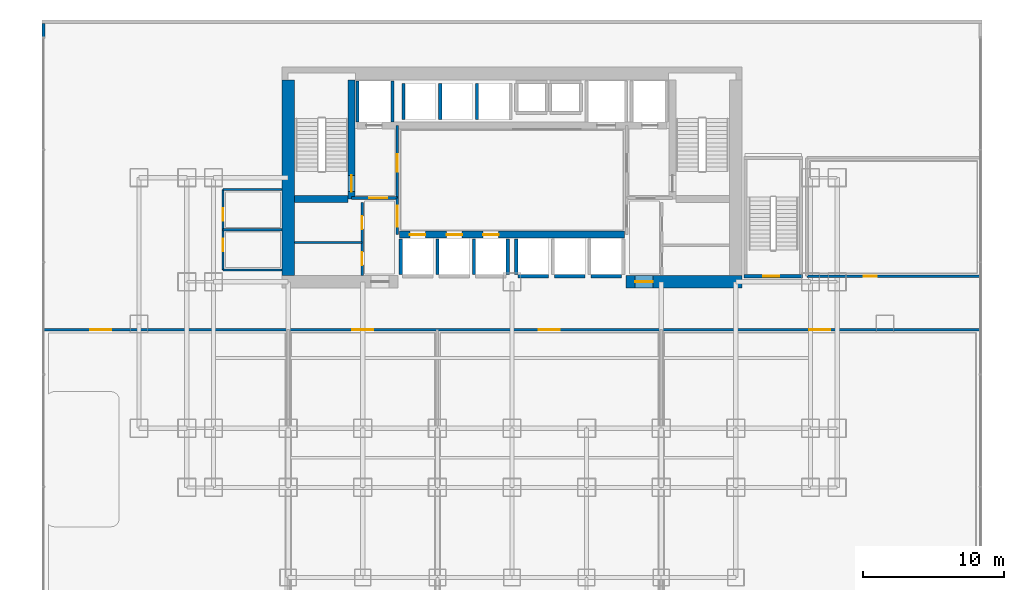
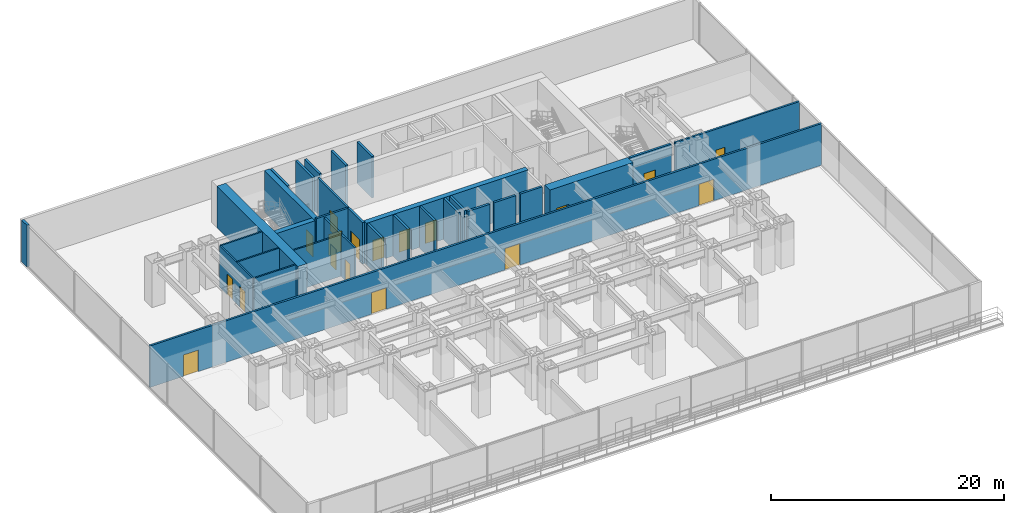
# One storey, part 9 of 13: 31 walls, 18 doors, 18 openings.
"""IFC4 building model written with IfcOpenShell, lengths in metres."""

from ifc_helpers import new_model, si_unit, direction, frame, frame_2d, origin, place, context, subcontext, project, spatial, rectangle, extrude, material, layer, layer_set, type_object, element, fill, save


model = new_model("IFC4")

# Units and contexts
model_context = context("Model", 3, precision=1e-05, world=origin(), true_north=direction((0.0, 1.0)))
body_context = subcontext(model_context, "Body", "Model", "MODEL_VIEW")
ifc_project = project(units=[si_unit("LENGTHUNIT", "METRE"), si_unit("AREAUNIT", "SQUARE_METRE"), si_unit("VOLUMEUNIT", "CUBIC_METRE"), si_unit("PLANEANGLEUNIT", "RADIAN"), si_unit("MASSUNIT", "GRAM", prefix="KILO")], contexts=[model_context])

# Site, building, storey
site_placement = place(None, origin())
site = spatial("IfcSite", under=ifc_project, at=site_placement, CompositionType="ELEMENT")
building_placement = place(site_placement, origin())
building = spatial("IfcBuilding", under=site, at=building_placement, Name="Qianlan Lanfeng Residences", CompositionType="ELEMENT")
storey_placement = place(building_placement, frame((0.0, 0.0, 9.800048828125)))
storey = spatial("IfcBuildingStorey", under=building, at=storey_placement, Name="L02", CompositionType="ELEMENT", Elevation=9.800048828125)

# Wall, opening, door
ifc_material_1 = material(Name="Concrete C70", Category="concrete")
ifc_layer_1 = layer(ifc_material_1, 0.5)
ifc_layer_set_1 = layer_set([ifc_layer_1], Name="Concrete C70")
wall_type_1 = type_object("IfcWallType", Name="CW-RC-500", PredefinedType="SHEAR", material=ifc_layer_set_1)
wall_1_placement = place(storey_placement, frame((15.10009765625, 31.10009765625, 0.0), z_axis=(0.0, 0.0, 1.0), x_axis=(0.0, 1.0, 0.0)))
wall_1 = element("IfcWall", 1, at=wall_1_placement, inside=storey, type_object=wall_type_1, Name="L02 Core Shear Wall ST1E", PredefinedType="SHEAR", context=body_context, shape_type="SweptSolid", body=[
    extrude(rectangle(XDim=8.449951171875, YDim=0.5, at=frame_2d((4.22509765625, 0.0))), origin(), (0.0, 0.0, 1.0), 4.349853515625),
])
opening_1_placement = place(wall_1_placement, frame((0.510009765625, 0.0, 0.0)))
opening_1 = element("IfcOpeningElement", 2, at=opening_1_placement, cuts=wall_1, Name="Opening L02-D07", PredefinedType="OPENING", context=body_context, shape_type="SweptSolid", body=[
    extrude(rectangle(XDim=1.14990234375, YDim=2.199951171875, at=frame_2d((0.574951171875, 1.10009765625))), frame((0.0, 0.260009765625, 0.0), z_axis=(0.0, -1.0, 0.0), x_axis=(1.0, 0.0, 0.0)), (0.0, 0.0, 1.0), 0.52001953125),
])
ifc_material_2 = material(Name="Painted Galvanised Steel Fire Door", Category="steel")
door_type_1 = type_object("IfcDoorType", Name="DT-ST1", OperationType="NOTDEFINED", PredefinedType="DOOR", material=ifc_material_2)
door_1_placement = place(opening_1_placement, frame((1.14990234375, 0.0, 0.0), z_axis=(0.0, 0.0, 1.0), x_axis=(-1.0, 0.0, 0.0)))
door_1 = element("IfcDoor", 3, at=door_1_placement, inside=storey, type_object=door_type_1, Name="L02 Exit Stair ST-1 Door L02-D07 (DT-ST1)", OperationType="SINGLE_SWING_RIGHT", OverallHeight=2.199951171875, OverallWidth=1.14990234375, PredefinedType="DOOR", context=body_context, shape_type="SweptSolid", body=[
    extrude(rectangle(XDim=1.14990234375, YDim=2.199951171875, at=frame_2d((0.574951171875, 1.10009765625))), frame((0.0, 0.02490234375, 0.0), z_axis=(0.0, -1.0, 0.0), x_axis=(1.0, 0.0, 0.0)), (0.0, 0.0, 1.0), 0.050048828125),
])
fill(opening_1, door_1)

# Wall
wall_2_placement = place(storey_placement, frame((11.050048828125, 31.10009765625, 0.0), z_axis=(0.0, 0.0, 1.0), x_axis=(1.0, 0.0, 0.0)))
element("IfcWall", 4, at=wall_2_placement, inside=storey, type_object=wall_type_1, Name="L02 Core Shear Wall ST1S", PredefinedType="SHEAR", context=body_context, shape_type="SweptSolid", body=[
    extrude(rectangle(XDim=3.800048828125, YDim=0.5, at=frame_2d((1.89990234375, 0.0))), origin(), (0.0, 0.0, 1.0), 4.349853515625),
])

# Wall, openings, doors
wall_3_placement = place(storey_placement, frame((18.5, 28.550048828125, 0.0), z_axis=(0.0, 0.0, 1.0), x_axis=(1.0, 0.0, 0.0)))
wall_3 = element("IfcWall", 5, at=wall_3_placement, inside=storey, type_object=wall_type_1, Name="L02 Core Shear Wall LBS", PredefinedType="SHEAR", context=body_context, shape_type="SweptSolid", body=[
    extrude(rectangle(XDim=16.0, YDim=0.5, at=frame_2d((8.0, 0.0))), origin(), (0.0, 0.0, 1.0), 4.349853515625),
])
opening_2_placement = place(wall_3_placement, frame((0.75, 0.0, 0.0)))
opening_2 = element("IfcOpeningElement", 6, at=opening_2_placement, cuts=wall_3, Name="Opening L02-LD-PL-L1", PredefinedType="OPENING", context=body_context, shape_type="SweptSolid", body=[
    extrude(rectangle(XDim=1.10009765625, YDim=2.14990234375, at=frame_2d((0.550048828125, 1.074951171875))), frame((0.0, 0.260009765625, 0.0), z_axis=(0.0, -1.0, 0.0), x_axis=(1.0, 0.0, 0.0)), (0.0, 0.0, 1.0), 0.52001953125),
])
opening_3_placement = place(wall_3_placement, frame((3.35009765625, 0.0, 0.0)))
opening_3 = element("IfcOpeningElement", 7, at=opening_3_placement, cuts=wall_3, Name="Opening L02-LD-PL-L2", PredefinedType="OPENING", context=body_context, shape_type="SweptSolid", body=[
    extrude(rectangle(XDim=1.10009765625, YDim=2.14990234375, at=frame_2d((0.550048828125, 1.074951171875))), frame((0.0, 0.260009765625, 0.0), z_axis=(0.0, -1.0, 0.0), x_axis=(1.0, 0.0, 0.0)), (0.0, 0.0, 1.0), 0.52001953125),
])
opening_4_placement = place(wall_3_placement, frame((5.949951171875, 0.0, 0.0)))
opening_4 = element("IfcOpeningElement", 8, at=opening_4_placement, cuts=wall_3, Name="Opening L02-LD-PL-L3", PredefinedType="OPENING", context=body_context, shape_type="SweptSolid", body=[
    extrude(rectangle(XDim=1.10009765625, YDim=2.14990234375, at=frame_2d((0.550048828125, 1.074951171875))), frame((0.0, 0.260009765625, 0.0), z_axis=(0.0, -1.0, 0.0), x_axis=(1.0, 0.0, 0.0)), (0.0, 0.0, 1.0), 0.52001953125),
])
ifc_material_3 = material(Name="Brushed Stainless Steel Sliding Lift Door", Category="steel")
door_type_2 = type_object("IfcDoorType", Name="LD-01", OperationType="NOTDEFINED", PredefinedType="DOOR", material=ifc_material_3)
door_2_placement = place(opening_2_placement, origin())
door_2 = element("IfcDoor", 9, at=door_2_placement, inside=storey, type_object=door_type_2, Name="L02 Elevator PL-L1 Sliding Landing Door", OperationType="DOUBLE_DOOR_SLIDING", OverallHeight=2.14990234375, OverallWidth=1.10009765625, PredefinedType="DOOR", context=body_context, shape_type="SweptSolid", body=[
    extrude(rectangle(XDim=1.10009765625, YDim=2.14990234375, at=frame_2d((0.550048828125, 1.074951171875))), frame((0.0, 0.02490234375, 0.0), z_axis=(0.0, -1.0, 0.0), x_axis=(1.0, 0.0, 0.0)), (0.0, 0.0, 1.0), 0.050048828125),
])
fill(opening_2, door_2)
door_3_placement = place(opening_3_placement, origin())
door_3 = element("IfcDoor", 10, at=door_3_placement, inside=storey, type_object=door_type_2, Name="L02 Elevator PL-L2 Sliding Landing Door", OperationType="DOUBLE_DOOR_SLIDING", OverallHeight=2.14990234375, OverallWidth=1.10009765625, PredefinedType="DOOR", context=body_context, shape_type="SweptSolid", body=[
    extrude(rectangle(XDim=1.10009765625, YDim=2.14990234375, at=frame_2d((0.550048828125, 1.074951171875))), frame((0.0, 0.02490234375, 0.0), z_axis=(0.0, -1.0, 0.0), x_axis=(1.0, 0.0, 0.0)), (0.0, 0.0, 1.0), 0.050048828125),
])
fill(opening_3, door_3)
door_4_placement = place(opening_4_placement, origin())
door_4 = element("IfcDoor", 11, at=door_4_placement, inside=storey, type_object=door_type_2, Name="L02 Elevator PL-L3 Sliding Landing Door", OperationType="DOUBLE_DOOR_SLIDING", OverallHeight=2.14990234375, OverallWidth=1.10009765625, PredefinedType="DOOR", context=body_context, shape_type="SweptSolid", body=[
    extrude(rectangle(XDim=1.10009765625, YDim=2.14990234375, at=frame_2d((0.550048828125, 1.074951171875))), frame((0.0, 0.02490234375, 0.0), z_axis=(0.0, -1.0, 0.0), x_axis=(1.0, 0.0, 0.0)), (0.0, 0.0, 1.0), 0.050048828125),
])
fill(opening_4, door_4)

# Wall
ifc_layer_2 = layer(ifc_material_1, 0.89990234375)
ifc_layer_set_2 = layer_set([ifc_layer_2], Name="Concrete C70")
wall_type_2 = type_object("IfcWallType", Name="CW-RC-900", PredefinedType="SHEAR", material=ifc_layer_set_2)
wall_4_placement = place(storey_placement, frame((10.60009765625, 25.64990234375, 0.0), z_axis=(0.0, 0.0, 1.0), x_axis=(0.0, 1.0, 0.0)))
element("IfcWall", 12, at=wall_4_placement, inside=storey, type_object=wall_type_2, Name="L02 Core Shear Wall W", PredefinedType="SHEAR", context=body_context, shape_type="SweptSolid", body=[
    extrude(rectangle(XDim=13.900146484375, YDim=0.89990234375, at=frame_2d((6.9501953125, 0.0))), origin(), (0.0, 0.0, 1.0), 4.349853515625),
])

# Wall, opening, door
wall_5_placement = place(storey_placement, frame((34.60009765625, 25.199951171875, 0.0), z_axis=(0.0, 0.0, 1.0), x_axis=(1.0, 0.0, 0.0)))
wall_5 = element("IfcWall", 13, at=wall_5_placement, inside=storey, type_object=wall_type_2, Name="L02 Core Shear Wall SE", PredefinedType="SHEAR", context=body_context, shape_type="SweptSolid", body=[
    extrude(rectangle(XDim=8.25, YDim=0.89990234375, at=frame_2d((4.125, 0.0))), origin(), (0.0, 0.0, 1.0), 4.349853515625),
])
opening_5_placement = place(wall_5_placement, frame((0.64990234375, 0.0, 0.0)))
opening_5 = element("IfcOpeningElement", 14, at=opening_5_placement, cuts=wall_5, Name="Opening L02-D02", PredefinedType="OPENING", context=body_context, shape_type="SweptSolid", body=[
    extrude(rectangle(XDim=1.25, YDim=2.199951171875, at=frame_2d((0.625, 1.10009765625))), frame((0.0, 0.4599609375, 0.0), z_axis=(0.0, -1.0, 0.0), x_axis=(1.0, 0.0, 0.0)), (0.0, 0.0, 1.0), 0.919921875),
])
door_type_3 = type_object("IfcDoorType", Name="DT-FFL", OperationType="NOTDEFINED", PredefinedType="DOOR", material=ifc_material_2)
door_5_placement = place(opening_5_placement, frame((1.25, 0.0, 0.0), z_axis=(0.0, 0.0, 1.0), x_axis=(-1.0, 0.0, 0.0)))
door_5 = element("IfcDoor", 15, at=door_5_placement, inside=storey, type_object=door_type_3, Name="L02 East Core Lobby Smoke Door L02-D02 (DT-FFL)", OperationType="SINGLE_SWING_LEFT", OverallHeight=2.199951171875, OverallWidth=1.25, PredefinedType="DOOR", context=body_context, shape_type="SweptSolid", body=[
    extrude(rectangle(XDim=1.25, YDim=2.199951171875, at=frame_2d((0.625, 1.10009765625))), frame((0.0, 0.02490234375, 0.0), z_axis=(0.0, -1.0, 0.0), x_axis=(1.0, 0.0, 0.0)), (0.0, 0.0, 1.0), 0.050048828125),
])
fill(opening_5, door_5)

# Walls
ifc_material_4 = material(Name="Concrete C42", Category="concrete")
ifc_layer_3 = layer(ifc_material_4, 0.239990234375)
ifc_layer_set_3 = layer_set([ifc_layer_3], Name="Concrete C42")
wall_type_3 = type_object("IfcWallType", Name="EW-240", PredefinedType="SOLIDWALL", material=ifc_layer_set_3)
wall_6_placement = place(storey_placement, frame((-6.780029296875, 43.5400390625, 0.0), z_axis=(0.0, 0.0, 1.0), x_axis=(0.0, -1.0, 0.0)))
element("IfcWall", 16, at=wall_6_placement, inside=storey, type_object=wall_type_3, Name="L02 NW Corner Pier", PredefinedType="SOLIDWALL", context=body_context, shape_type="SweptSolid", body=[
    extrude(rectangle(XDim=0.93994140625, YDim=0.239990234375, at=frame_2d((0.469970703125, 0.0))), origin(), (0.0, 0.0, 1.0), 4.349853515625),
])
ifc_material_5 = material(Name="Acoustic Drywall Partition 150 mm")
ifc_layer_4 = layer(ifc_material_5, 0.14990234375)
ifc_layer_set_4 = layer_set([ifc_layer_4], Name="Acoustic Drywall Partition 150 mm")
wall_type_4 = type_object("IfcWallType", Name="PW-150", PredefinedType="PARTITIONING", material=ifc_layer_set_4)
wall_7_placement = place(storey_placement, frame((11.050048828125, 28.0, 0.0), z_axis=(0.0, 0.0, 1.0), x_axis=(1.0, 0.0, 0.0)))
element("IfcWall", 17, at=wall_7_placement, inside=storey, type_object=wall_type_4, Name="L02 Core West Split", PredefinedType="PARTITIONING", context=body_context, shape_type="SweptSolid", body=[
    extrude(rectangle(XDim=4.800048828125, YDim=0.14990234375, at=frame_2d((2.39990234375, 0.0))), origin(), (0.0, 0.0, 1.0), 4.349853515625),
])

# Wall, openings, doors
wall_8_placement = place(storey_placement, frame((5.97998046875, 26.050048828125, 0.0), z_axis=(0.0, 0.0, 1.0), x_axis=(0.0, 1.0, 0.0)))
wall_8 = element("IfcWall", 18, at=wall_8_placement, inside=storey, type_object=wall_type_4, Name="L02 Restroom West Wall", PredefinedType="PARTITIONING", context=body_context, shape_type="SweptSolid", body=[
    extrude(rectangle(XDim=5.699951171875, YDim=0.14990234375, at=frame_2d((2.85009765625, 0.0))), origin(), (0.0, 0.0, 1.0), 4.349853515625),
])
opening_6_placement = place(wall_8_placement, frame((1.324951171875, 0.0, 0.0)))
opening_6 = element("IfcOpeningElement", 19, at=opening_6_placement, cuts=wall_8, Name="Opening L02-D21", PredefinedType="OPENING", context=body_context, shape_type="SweptSolid", body=[
    extrude(rectangle(XDim=0.89990234375, YDim=2.14990234375, at=frame_2d((0.449951171875, 1.074951171875))), frame((0.0, 0.0849609375, 0.0), z_axis=(0.0, -1.0, 0.0), x_axis=(1.0, 0.0, 0.0)), (0.0, 0.0, 1.0), 0.169921875),
])
opening_7_placement = place(wall_8_placement, frame((3.47509765625, 0.0, 0.0)))
opening_7 = element("IfcOpeningElement", 20, at=opening_7_placement, cuts=wall_8, Name="Opening L02-D22", PredefinedType="OPENING", context=body_context, shape_type="SweptSolid", body=[
    extrude(rectangle(XDim=0.89990234375, YDim=2.14990234375, at=frame_2d((0.449951171875, 1.074951171875))), frame((0.0, 0.0849609375, 0.0), z_axis=(0.0, -1.0, 0.0), x_axis=(1.0, 0.0, 0.0)), (0.0, 0.0, 1.0), 0.169921875),
])
ifc_material_6 = material(Name="Moisture-Resistant Timber Leaf", Category="wood")
door_type_4 = type_object("IfcDoorType", Name="DT-WC", OperationType="NOTDEFINED", PredefinedType="DOOR", material=ifc_material_6)
door_6_placement = place(opening_6_placement, origin())
door_6 = element("IfcDoor", 21, at=door_6_placement, inside=storey, type_object=door_type_4, Name="L02 Podium Public Restroom Door L02-D21 (DT-WC)", OperationType="SINGLE_SWING_LEFT", OverallHeight=2.14990234375, OverallWidth=0.89990234375, PredefinedType="DOOR", context=body_context, shape_type="SweptSolid", body=[
    extrude(rectangle(XDim=0.89990234375, YDim=2.14990234375, at=frame_2d((0.449951171875, 1.074951171875))), frame((0.0, 0.02490234375, 0.0), z_axis=(0.0, -1.0, 0.0), x_axis=(1.0, 0.0, 0.0)), (0.0, 0.0, 1.0), 0.050048828125),
])
fill(opening_6, door_6)
door_7_placement = place(opening_7_placement, origin())
door_7 = element("IfcDoor", 22, at=door_7_placement, inside=storey, type_object=door_type_4, Name="L02 Podium Accessible WC Door L02-D22 (DT-WC)", OperationType="SINGLE_SWING_RIGHT", OverallHeight=2.14990234375, OverallWidth=0.89990234375, PredefinedType="DOOR", context=body_context, shape_type="SweptSolid", body=[
    extrude(rectangle(XDim=0.89990234375, YDim=2.14990234375, at=frame_2d((0.449951171875, 1.074951171875))), frame((0.0, 0.02490234375, 0.0), z_axis=(0.0, -1.0, 0.0), x_axis=(1.0, 0.0, 0.0)), (0.0, 0.0, 1.0), 0.050048828125),
])
fill(opening_7, door_7)

# Walls
for number, where, z_axis, x_axis, name in (
    (23, (5.97998046875, 26.050048828125, 0.0), (0.0, 0.0, 1.0), (1.0, 0.0, 0.0), "L02 Restroom South Wall"),
    (24, (5.97998046875, 28.89990234375, 0.0), (0.0, 0.0, 1.0), (1.0, 0.0, 0.0), "L02 Restroom Divider"),
    (25, (5.97998046875, 31.75, 0.0), (0.0, 0.0, 1.0), (1.0, 0.0, 0.0), "L02 Restroom North Wall"),
):
    element("IfcWall", number, at=place(storey_placement, frame(where, z_axis=z_axis, x_axis=x_axis)), inside=storey, type_object=wall_type_4, Name=name, PredefinedType="PARTITIONING", context=body_context, shape_type="SweptSolid", body=[
        extrude(rectangle(XDim=4.169921875, YDim=0.14990234375, at=frame_2d((2.0849609375, 0.0))), origin(), (0.0, 0.0, 1.0), 4.349853515625),
    ])

# Wall, openings, doors
ifc_material_7 = material(Name="Double-Layer Acoustic Gypsum Stud Wall 180 mm")
ifc_layer_5 = layer(ifc_material_7, 0.179931640625)
ifc_layer_set_5 = layer_set([ifc_layer_5], Name="Double-Layer Acoustic Gypsum Stud Wall 180 mm")
wall_type_5 = type_object("IfcWallType", Name="PW-180", PredefinedType="PARTITIONING", material=ifc_layer_set_5)
wall_9_placement = place(storey_placement, frame((15.85009765625, 25.64990234375, 0.0), z_axis=(0.0, 0.0, 1.0), x_axis=(0.0, 1.0, 0.0)))
wall_9 = element("IfcWall", 26, at=wall_9_placement, inside=storey, type_object=wall_type_5, Name="L02 Core West Service Room Wall", PredefinedType="PARTITIONING", context=body_context, shape_type="SweptSolid", body=[
    extrude(rectangle(XDim=5.2001953125, YDim=0.179931640625, at=frame_2d((2.60009765625, 0.0))), origin(), (0.0, 0.0, 1.0), 4.349853515625),
])
opening_8_placement = place(wall_9_placement, frame((0.739990234375, 0.0, 0.0)))
opening_8 = element("IfcOpeningElement", 27, at=opening_8_placement, cuts=wall_9, Name="Opening L02-D09", PredefinedType="OPENING", context=body_context, shape_type="SweptSolid", body=[
    extrude(rectangle(XDim=0.919921875, YDim=2.14990234375, at=frame_2d((0.4599609375, 1.074951171875))), frame((0.0, 0.10009765625, 0.0), z_axis=(0.0, -1.0, 0.0), x_axis=(1.0, 0.0, 0.0)), (0.0, 0.0, 1.0), 0.199951171875),
])
opening_9_placement = place(wall_9_placement, frame((3.2900390625, 0.0, 0.0)))
opening_9 = element("IfcOpeningElement", 28, at=opening_9_placement, cuts=wall_9, Name="Opening L02-D10", PredefinedType="OPENING", context=body_context, shape_type="SweptSolid", body=[
    extrude(rectangle(XDim=0.919921875, YDim=2.14990234375, at=frame_2d((0.4599609375, 1.074951171875))), frame((0.0, 0.10009765625, 0.0), z_axis=(0.0, -1.0, 0.0), x_axis=(1.0, 0.0, 0.0)), (0.0, 0.0, 1.0), 0.199951171875),
])
ifc_material_8 = material(Name="Glazed Timber Kitchen/Study Door", Category="wood")
door_type_5 = type_object("IfcDoorType", Name="DT-INT", OperationType="NOTDEFINED", PredefinedType="DOOR", material=ifc_material_8)
door_8_placement = place(opening_8_placement, origin())
door_8 = element("IfcDoor", 29, at=door_8_placement, inside=storey, type_object=door_type_5, Name="L02 Parcel Room Door L02-D09 (DT-INT)", OperationType="SINGLE_SWING_LEFT", OverallHeight=2.14990234375, OverallWidth=0.919921875, PredefinedType="DOOR", context=body_context, shape_type="SweptSolid", body=[
    extrude(rectangle(XDim=0.919921875, YDim=2.14990234375, at=frame_2d((0.4599609375, 1.074951171875))), frame((0.0, 0.02490234375, 0.0), z_axis=(0.0, -1.0, 0.0), x_axis=(1.0, 0.0, 0.0)), (0.0, 0.0, 1.0), 0.050048828125),
])
fill(opening_8, door_8)
door_9_placement = place(opening_9_placement, origin())
door_9 = element("IfcDoor", 30, at=door_9_placement, inside=storey, type_object=door_type_5, Name="L02 Janitor Closet Door L02-D10 (DT-INT)", OperationType="SINGLE_SWING_RIGHT", OverallHeight=2.14990234375, OverallWidth=0.919921875, PredefinedType="DOOR", context=body_context, shape_type="SweptSolid", body=[
    extrude(rectangle(XDim=0.919921875, YDim=2.14990234375, at=frame_2d((0.4599609375, 1.074951171875))), frame((0.0, 0.02490234375, 0.0), z_axis=(0.0, -1.0, 0.0), x_axis=(1.0, 0.0, 0.0)), (0.0, 0.0, 1.0), 0.050048828125),
])
fill(opening_9, door_9)

# Wall, opening, door
wall_10_placement = place(storey_placement, frame((47.449951171875, 25.60009765625, 0.0), z_axis=(0.0, 0.0, 1.0), x_axis=(1.0, 0.0, 0.0)))
wall_10 = element("IfcWall", 31, at=wall_10_placement, inside=storey, type_object=wall_type_5, Name="L02 East Salon South Wall", PredefinedType="PARTITIONING", context=body_context, shape_type="SweptSolid", body=[
    extrude(rectangle(XDim=12.330078125, YDim=0.179931640625, at=frame_2d((6.1650390625, 0.0))), origin(), (0.0, 0.0, 1.0), 4.349853515625),
])
opening_10_placement = place(wall_10_placement, frame((4.0400390625, 0.0, 0.0)))
opening_10 = element("IfcOpeningElement", 32, at=opening_10_placement, cuts=wall_10, Name="Opening L02-D20", PredefinedType="OPENING", context=body_context, shape_type="SweptSolid", body=[
    extrude(rectangle(XDim=0.919921875, YDim=2.14990234375, at=frame_2d((0.4599609375, 1.074951171875))), frame((0.0, 0.10009765625, 0.0), z_axis=(0.0, -1.0, 0.0), x_axis=(1.0, 0.0, 0.0)), (0.0, 0.0, 1.0), 0.199951171875),
])
door_10_placement = place(opening_10_placement, origin())
door_10 = element("IfcDoor", 33, at=door_10_placement, inside=storey, type_object=door_type_5, Name="L02 Parent Lounge Door L02-D20 (DT-INT)", OperationType="SINGLE_SWING_RIGHT", OverallHeight=2.14990234375, OverallWidth=0.919921875, PredefinedType="DOOR", context=body_context, shape_type="SweptSolid", body=[
    extrude(rectangle(XDim=0.919921875, YDim=2.14990234375, at=frame_2d((0.4599609375, 1.074951171875))), frame((0.0, 0.02490234375, 0.0), z_axis=(0.0, -1.0, 0.0), x_axis=(1.0, 0.0, 0.0)), (0.0, 0.0, 1.0), 0.050048828125),
])
fill(opening_10, door_10)

ifc_material_9 = material(Name="Autoclaved Aerated Concrete Blockwork 200 mm", Category="masonry")
ifc_layer_6 = layer(ifc_material_9, 0.199951171875)
ifc_layer_set_6 = layer_set([ifc_layer_6], Name="Autoclaved Aerated Concrete Blockwork 200 mm")
wall_type_6 = type_object("IfcWallType", Name="PW-200", PredefinedType="PARTITIONING", material=ifc_layer_set_6)
wall_11_placement = place(storey_placement, frame((15.10009765625, 31.14990234375, 0.0), z_axis=(0.0, 0.0, 1.0), x_axis=(1.0, 0.0, 0.0)))
wall_11 = element("IfcWall", 34, at=wall_11_placement, inside=storey, type_object=wall_type_6, Name="L02 Firefighting Lobby 1 South Wall", PredefinedType="PARTITIONING", context=body_context, shape_type="SweptSolid", body=[
    extrude(rectangle(XDim=3.25, YDim=0.199951171875, at=frame_2d((1.625, 0.0))), origin(), (0.0, 0.0, 1.0), 4.349853515625),
])
opening_11_placement = place(wall_11_placement, frame((1.27490234375, 0.0, 0.0)))
opening_11 = element("IfcOpeningElement", 35, at=opening_11_placement, cuts=wall_11, Name="Opening L02-D03", PredefinedType="OPENING", context=body_context, shape_type="SweptSolid", body=[
    extrude(rectangle(XDim=1.25, YDim=2.199951171875, at=frame_2d((0.625, 1.10009765625))), frame((0.0, 0.10986328125, 0.0), z_axis=(0.0, -1.0, 0.0), x_axis=(1.0, 0.0, 0.0)), (0.0, 0.0, 1.0), 0.219970703125),
])
door_11_placement = place(opening_11_placement, origin())
door_11 = element("IfcDoor", 36, at=door_11_placement, inside=storey, type_object=door_type_3, Name="L02 Firefighting Lobby 1 Entry Door L02-D03 (DT-FFL)", OperationType="SINGLE_SWING_LEFT", OverallHeight=2.199951171875, OverallWidth=1.25, PredefinedType="DOOR", context=body_context, shape_type="SweptSolid", body=[
    extrude(rectangle(XDim=1.25, YDim=2.199951171875, at=frame_2d((0.625, 1.10009765625))), frame((0.0, 0.02490234375, 0.0), z_axis=(0.0, -1.0, 0.0), x_axis=(1.0, 0.0, 0.0)), (0.0, 0.0, 1.0), 0.050048828125),
])
fill(opening_11, door_11)

wall_12_placement = place(storey_placement, frame((18.35009765625, 31.14990234375, 0.0), z_axis=(0.0, 0.0, 1.0), x_axis=(0.0, 1.0, 0.0)))
wall_12 = element("IfcWall", 37, at=wall_12_placement, inside=storey, type_object=wall_type_6, Name="L02 Firefighting Lobby 1 East Wall", PredefinedType="PARTITIONING", context=body_context, shape_type="SweptSolid", body=[
    extrude(rectangle(XDim=5.150146484375, YDim=0.199951171875, at=frame_2d((2.5751953125, 0.0))), origin(), (0.0, 0.0, 1.0), 4.349853515625),
])
opening_12_placement = place(wall_12_placement, frame((1.875, 0.0, 0.0)))
opening_12 = element("IfcOpeningElement", 38, at=opening_12_placement, cuts=wall_12, Name="Opening L02-D04", PredefinedType="OPENING", context=body_context, shape_type="SweptSolid", body=[
    extrude(rectangle(XDim=1.25, YDim=2.199951171875, at=frame_2d((0.625, 1.10009765625))), frame((0.0, 0.10986328125, 0.0), z_axis=(0.0, -1.0, 0.0), x_axis=(1.0, 0.0, 0.0)), (0.0, 0.0, 1.0), 0.219970703125),
])
door_12_placement = place(opening_12_placement, origin())
door_12 = element("IfcDoor", 39, at=door_12_placement, inside=storey, type_object=door_type_3, Name="L02 Firefighting Lobby 1 Lift Lobby Door L02-D04 (DT-FFL)", OperationType="SINGLE_SWING_RIGHT", OverallHeight=2.199951171875, OverallWidth=1.25, PredefinedType="DOOR", context=body_context, shape_type="SweptSolid", body=[
    extrude(rectangle(XDim=1.25, YDim=2.199951171875, at=frame_2d((0.625, 1.10009765625))), frame((0.0, 0.02490234375, 0.0), z_axis=(0.0, -1.0, 0.0), x_axis=(1.0, 0.0, 0.0)), (0.0, 0.0, 1.0), 0.050048828125),
])
fill(opening_12, door_12)

wall_13_placement = place(storey_placement, frame((18.35009765625, 28.550048828125, 0.0), z_axis=(0.0, 0.0, 1.0), x_axis=(0.0, 1.0, 0.0)))
wall_13 = element("IfcWall", 40, at=wall_13_placement, inside=storey, type_object=wall_type_6, Name="L02 Lift Lobby West Connector Wall", PredefinedType="PARTITIONING", context=body_context, shape_type="SweptSolid", body=[
    extrude(rectangle(XDim=2.599853515625, YDim=0.199951171875, at=frame_2d((1.2998046875, 0.0))), origin(), (0.0, 0.0, 1.0), 4.349853515625),
])
opening_13_placement = place(wall_13_placement, frame((0.550048828125, 0.0, 0.0)))
opening_13 = element("IfcOpeningElement", 41, at=opening_13_placement, cuts=wall_13, Name="Opening L02-D14", PredefinedType="OPENING", context=body_context, shape_type="SweptSolid", body=[
    extrude(rectangle(XDim=1.5, YDim=2.25, at=frame_2d((0.75, 1.125))), frame((0.0, 0.10986328125, 0.0), z_axis=(0.0, -1.0, 0.0), x_axis=(1.0, 0.0, 0.0)), (0.0, 0.0, 1.0), 0.219970703125),
])
ifc_material_10 = material(Name="Timber Veneer Acoustic Fire Door", Category="wood")
door_type_6 = type_object("IfcDoorType", Name="DT-COR1", OperationType="NOTDEFINED", PredefinedType="DOOR", material=ifc_material_10)
door_13_placement = place(opening_13_placement, origin())
door_13 = element("IfcDoor", 42, at=door_13_placement, inside=storey, type_object=door_type_6, Name="L02 Lift Lobby West Portal Door L02-D14 (DT-COR1)", OperationType="DOUBLE_DOOR_SINGLE_SWING", OverallHeight=2.25, OverallWidth=1.5, PredefinedType="DOOR", context=body_context, shape_type="SweptSolid", body=[
    extrude(rectangle(XDim=1.5, YDim=2.25, at=frame_2d((0.75, 1.125))), frame((0.0, 0.02490234375, 0.0), z_axis=(0.0, -1.0, 0.0), x_axis=(1.0, 0.0, 0.0)), (0.0, 0.0, 1.0), 0.050048828125),
])
fill(opening_13, door_13)

# Wall, openings, doors
wall_14_placement = place(storey_placement, frame((-6.780029296875, 21.800048828125, 0.0), z_axis=(0.0, 0.0, 1.0), x_axis=(1.0, 0.0, 0.0)))
wall_14 = element("IfcWall", 43, at=wall_14_placement, inside=storey, type_object=wall_type_6, Name="L02 Podium Concourse South Wall", PredefinedType="PARTITIONING", context=body_context, shape_type="SweptSolid", body=[
    extrude(rectangle(XDim=66.56005859375, YDim=0.199951171875, at=frame_2d((33.280029296875, 0.0))), origin(), (0.0, 0.0, 1.0), 4.349853515625),
])
opening_14_placement = place(wall_14_placement, frame((3.304931640625, 0.0, 0.0)))
opening_14 = element("IfcOpeningElement", 44, at=opening_14_placement, cuts=wall_14, Name="Opening L02-D16", PredefinedType="OPENING", context=body_context, shape_type="SweptSolid", body=[
    extrude(rectangle(XDim=1.5, YDim=2.25, at=frame_2d((0.75, 1.125))), frame((0.0, 0.10986328125, 0.0), z_axis=(0.0, -1.0, 0.0), x_axis=(1.0, 0.0, 0.0)), (0.0, 0.0, 1.0), 0.219970703125),
])
opening_15_placement = place(wall_14_placement, frame((21.929931640625, 0.0, 0.0)))
opening_15 = element("IfcOpeningElement", 45, at=opening_15_placement, cuts=wall_14, Name="Opening L02-D17", PredefinedType="OPENING", context=body_context, shape_type="SweptSolid", body=[
    extrude(rectangle(XDim=1.5, YDim=2.25, at=frame_2d((0.75, 1.125))), frame((0.0, 0.10986328125, 0.0), z_axis=(0.0, -1.0, 0.0), x_axis=(1.0, 0.0, 0.0)), (0.0, 0.0, 1.0), 0.219970703125),
])
opening_16_placement = place(wall_14_placement, frame((35.179931640625, 0.0, 0.0)))
opening_16 = element("IfcOpeningElement", 46, at=opening_16_placement, cuts=wall_14, Name="Opening L02-D18", PredefinedType="OPENING", context=body_context, shape_type="SweptSolid", body=[
    extrude(rectangle(XDim=1.5, YDim=2.25, at=frame_2d((0.75, 1.125))), frame((0.0, 0.10986328125, 0.0), z_axis=(0.0, -1.0, 0.0), x_axis=(1.0, 0.0, 0.0)), (0.0, 0.0, 1.0), 0.219970703125),
])
opening_17_placement = place(wall_14_placement, frame((54.405029296875, 0.0, 0.0)))
opening_17 = element("IfcOpeningElement", 47, at=opening_17_placement, cuts=wall_14, Name="Opening L02-D19", PredefinedType="OPENING", context=body_context, shape_type="SweptSolid", body=[
    extrude(rectangle(XDim=1.5, YDim=2.25, at=frame_2d((0.75, 1.125))), frame((0.0, 0.10986328125, 0.0), z_axis=(0.0, -1.0, 0.0), x_axis=(1.0, 0.0, 0.0)), (0.0, 0.0, 1.0), 0.219970703125),
])
door_14_placement = place(opening_14_placement, origin())
door_14 = element("IfcDoor", 48, at=door_14_placement, inside=storey, type_object=door_type_6, Name="L02 Childcare Nursery Door L02-D16 (DT-COR1)", OperationType="DOUBLE_DOOR_SINGLE_SWING", OverallHeight=2.25, OverallWidth=1.5, PredefinedType="DOOR", context=body_context, shape_type="SweptSolid", body=[
    extrude(rectangle(XDim=1.5, YDim=2.25, at=frame_2d((0.75, 1.125))), frame((0.0, 0.02490234375, 0.0), z_axis=(0.0, -1.0, 0.0), x_axis=(1.0, 0.0, 0.0)), (0.0, 0.0, 1.0), 0.050048828125),
])
fill(opening_14, door_14)
door_15_placement = place(opening_15_placement, origin())
door_15 = element("IfcDoor", 49, at=door_15_placement, inside=storey, type_object=door_type_6, Name="L02 Children Playroom Door L02-D17 (DT-COR1)", OperationType="DOUBLE_DOOR_SINGLE_SWING", OverallHeight=2.25, OverallWidth=1.5, PredefinedType="DOOR", context=body_context, shape_type="SweptSolid", body=[
    extrude(rectangle(XDim=1.5, YDim=2.25, at=frame_2d((0.75, 1.125))), frame((0.0, 0.02490234375, 0.0), z_axis=(0.0, -1.0, 0.0), x_axis=(1.0, 0.0, 0.0)), (0.0, 0.0, 1.0), 0.050048828125),
])
fill(opening_15, door_15)
door_16_placement = place(opening_16_placement, origin())
door_16 = element("IfcDoor", 50, at=door_16_placement, inside=storey, type_object=door_type_6, Name="L02 Aerobics Studio Door L02-D18 (DT-COR1)", OperationType="DOUBLE_DOOR_SINGLE_SWING", OverallHeight=2.25, OverallWidth=1.5, PredefinedType="DOOR", context=body_context, shape_type="SweptSolid", body=[
    extrude(rectangle(XDim=1.5, YDim=2.25, at=frame_2d((0.75, 1.125))), frame((0.0, 0.02490234375, 0.0), z_axis=(0.0, -1.0, 0.0), x_axis=(1.0, 0.0, 0.0)), (0.0, 0.0, 1.0), 0.050048828125),
])
fill(opening_16, door_16)
door_17_placement = place(opening_17_placement, origin())
door_17 = element("IfcDoor", 51, at=door_17_placement, inside=storey, type_object=door_type_6, Name="L02 Fitness Gymnasium Door L02-D19 (DT-COR1)", OperationType="DOUBLE_DOOR_SINGLE_SWING", OverallHeight=2.25, OverallWidth=1.5, PredefinedType="DOOR", context=body_context, shape_type="SweptSolid", body=[
    extrude(rectangle(XDim=1.5, YDim=2.25, at=frame_2d((0.75, 1.125))), frame((0.0, 0.02490234375, 0.0), z_axis=(0.0, -1.0, 0.0), x_axis=(1.0, 0.0, 0.0)), (0.0, 0.0, 1.0), 0.050048828125),
])
fill(opening_17, door_17)

# Walls
ifc_material_11 = material(Name="Concrete C49", Category="concrete")
ifc_layer_7 = layer(ifc_material_11, 0.219970703125)
ifc_layer_set_7 = layer_set([ifc_layer_7], Name="Concrete C49")
wall_type_7 = type_object("IfcWallType", Name="SHW-220", PredefinedType="SOLIDWALL", material=ifc_layer_set_7)
for number, where, z_axis, x_axis, name in (
    (52, (15.52001953125, 36.550048828125, 0.0), (0.0, 0.0, 1.0), (0.0, 1.0, 0.0), "L02 Lift FFL-1 Shaft Wall W"),
    (53, (18.0, 36.550048828125, 0.0), (0.0, 0.0, 1.0), (0.0, 1.0, 0.0), "L02 Lift FFL-1 Shaft Wall E"),
):
    element("IfcWall", number, at=place(storey_placement, frame(where, z_axis=z_axis, x_axis=x_axis)), inside=storey, type_object=wall_type_7, Name=name, PredefinedType="SOLIDWALL", context=body_context, shape_type="SweptSolid", body=[
        extrude(rectangle(XDim=2.929931640625, YDim=0.219970703125, at=frame_2d((1.46484375, 0.0))), origin(), (0.0, 0.0, 1.0), 4.349853515625),
    ])
for number, where, z_axis, x_axis, name in (
    (54, (18.60009765625, 25.719970703125, 0.0), (0.0, 0.0, 1.0), (0.0, 1.0, 0.0), "L02 Lift PL-L1 Shaft Wall W"),
    (55, (21.199951171875, 25.719970703125, 0.0), (0.0, 0.0, 1.0), (0.0, 1.0, 0.0), "L02 Lift PL-L2 Shaft Wall W"),
    (56, (23.800048828125, 25.719970703125, 0.0), (0.0, 0.0, 1.0), (0.0, 1.0, 0.0), "L02 Lift PL-L3 Shaft Wall W"),
    (57, (26.199951171875, 25.719970703125, 0.0), (0.0, 0.0, 1.0), (0.0, 1.0, 0.0), "L02 Lift PL-L3 Shaft Wall E"),
    (58, (26.800048828125, 25.719970703125, 0.0), (0.0, 0.0, 1.0), (0.0, 1.0, 0.0), "L02 Lift PL-M1 Shaft Wall W"),
):
    element("IfcWall", number, at=place(storey_placement, frame(where, z_axis=z_axis, x_axis=x_axis)), inside=storey, type_object=wall_type_7, Name=name, PredefinedType="SOLIDWALL", context=body_context, shape_type="SweptSolid", body=[
        extrude(rectangle(XDim=2.530029296875, YDim=0.219970703125, at=frame_2d((1.26513671875, 0.0))), origin(), (0.0, 0.0, 1.0), 4.349853515625),
    ])
wall_15_placement = place(storey_placement, frame((26.919921875, 25.60009765625, 0.0), z_axis=(0.0, 0.0, 1.0), x_axis=(1.0, 0.0, 0.0)))
element("IfcWall", 59, at=wall_15_placement, inside=storey, type_object=wall_type_7, Name="L02 Lift PL-M1 Shaft Back Wall S", PredefinedType="SOLIDWALL", context=body_context, shape_type="SweptSolid", body=[
    extrude(rectangle(XDim=2.16015625, YDim=0.219970703125, at=frame_2d((1.080078125, 0.0))), origin(), (0.0, 0.0, 1.0), 4.349853515625),
])
for number, where, z_axis, x_axis, name in (
    (60, (29.52001953125, 25.60009765625, 0.0), (0.0, 0.0, 1.0), (1.0, 0.0, 0.0), "L02 Lift PL-M2 Shaft Back Wall S"),
    (61, (32.1201171875, 25.60009765625, 0.0), (0.0, 0.0, 1.0), (1.0, 0.0, 0.0), "L02 Lift PL-M3 Shaft Back Wall S"),
):
    element("IfcWall", number, at=place(storey_placement, frame(where, z_axis=z_axis, x_axis=x_axis)), inside=storey, type_object=wall_type_7, Name=name, PredefinedType="SOLIDWALL", context=body_context, shape_type="SweptSolid", body=[
        extrude(rectangle(XDim=2.159912109375, YDim=0.219970703125, at=frame_2d((1.080078125, 0.0))), origin(), (0.0, 0.0, 1.0), 4.349853515625),
    ])
for number, where, z_axis, x_axis, name in (
    (62, (18.800048828125, 36.719970703125, 0.0), (0.0, 0.0, 1.0), (0.0, 1.0, 0.0), "L02 Lift PL-H1 Shaft Wall W"),
    (63, (21.39990234375, 36.719970703125, 0.0), (0.0, 0.0, 1.0), (0.0, 1.0, 0.0), "L02 Lift PL-H2 Shaft Wall W"),
    (64, (24.0, 36.719970703125, 0.0), (0.0, 0.0, 1.0), (0.0, 1.0, 0.0), "L02 Lift PL-H3 Shaft Wall W"),
):
    element("IfcWall", number, at=place(storey_placement, frame(where, z_axis=z_axis, x_axis=x_axis)), inside=storey, type_object=wall_type_7, Name=name, PredefinedType="SOLIDWALL", context=body_context, shape_type="SweptSolid", body=[
        extrude(rectangle(XDim=2.56005859375, YDim=0.219970703125, at=frame_2d((1.280029296875, 0.0))), origin(), (0.0, 0.0, 1.0), 4.349853515625),
    ])

# Wall, opening, door
ifc_layer_8 = layer(ifc_material_11, 0.219970703125)
ifc_layer_set_8 = layer_set([ifc_layer_8], Name="Concrete C49")
wall_type_8 = type_object("IfcWallType", Name="STW-RC-220", PredefinedType="SHEAR", material=ifc_layer_set_8)
wall_16_placement = place(storey_placement, frame((42.969970703125, 25.60009765625, 0.0), z_axis=(0.0, 0.0, 1.0), x_axis=(1.0, 0.0, 0.0)))
wall_16 = element("IfcWall", 65, at=wall_16_placement, inside=storey, type_object=wall_type_8, Name="L02 Stair ST-P1 Enclosure Wall S", PredefinedType="SHEAR", context=body_context, shape_type="SweptSolid", body=[
    extrude(rectangle(XDim=4.159912109375, YDim=0.219970703125, at=frame_2d((2.080078125, 0.0))), origin(), (0.0, 0.0, 1.0), 4.349853515625),
])
opening_18_placement = place(wall_16_placement, frame((1.375, 0.0, 0.0)))
opening_18 = element("IfcOpeningElement", 66, at=opening_18_placement, cuts=wall_16, Name="Opening L02-D13", PredefinedType="OPENING", context=body_context, shape_type="SweptSolid", body=[
    extrude(rectangle(XDim=1.14990234375, YDim=2.199951171875, at=frame_2d((0.574951171875, 1.10009765625))), frame((0.0, 0.1201171875, 0.0), z_axis=(0.0, -1.0, 0.0), x_axis=(1.0, 0.0, 0.0)), (0.0, 0.0, 1.0), 0.239990234375),
])
door_18_placement = place(opening_18_placement, origin())
door_18 = element("IfcDoor", 67, at=door_18_placement, inside=storey, type_object=door_type_1, Name="L02 Podium Exit Stair ST-P1 Door L02-D13 (DT-ST1)", OperationType="SINGLE_SWING_LEFT", OverallHeight=2.199951171875, OverallWidth=1.14990234375, PredefinedType="DOOR", context=body_context, shape_type="SweptSolid", body=[
    extrude(rectangle(XDim=1.14990234375, YDim=2.199951171875, at=frame_2d((0.574951171875, 1.10009765625))), frame((0.0, 0.02490234375, 0.0), z_axis=(0.0, -1.0, 0.0), x_axis=(1.0, 0.0, 0.0)), (0.0, 0.0, 1.0), 0.050048828125),
])
fill(opening_18, door_18)

save(model, "model.ifc")
